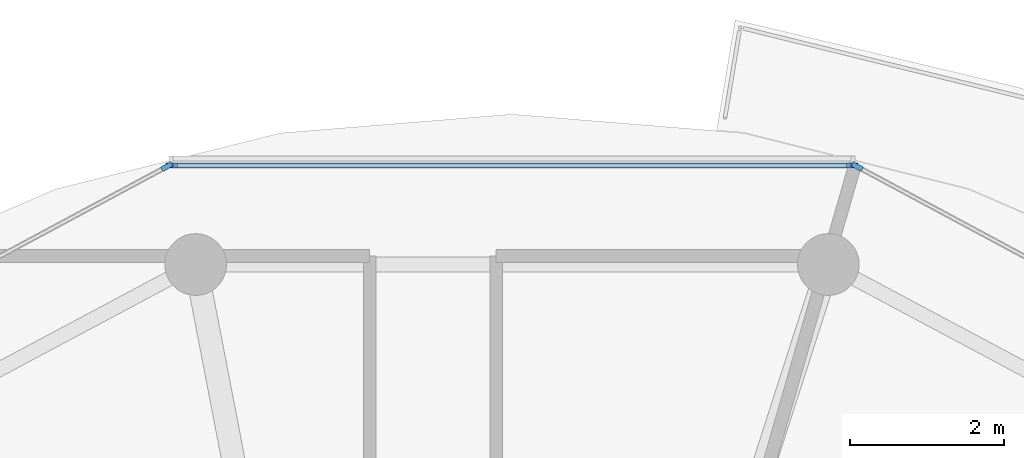
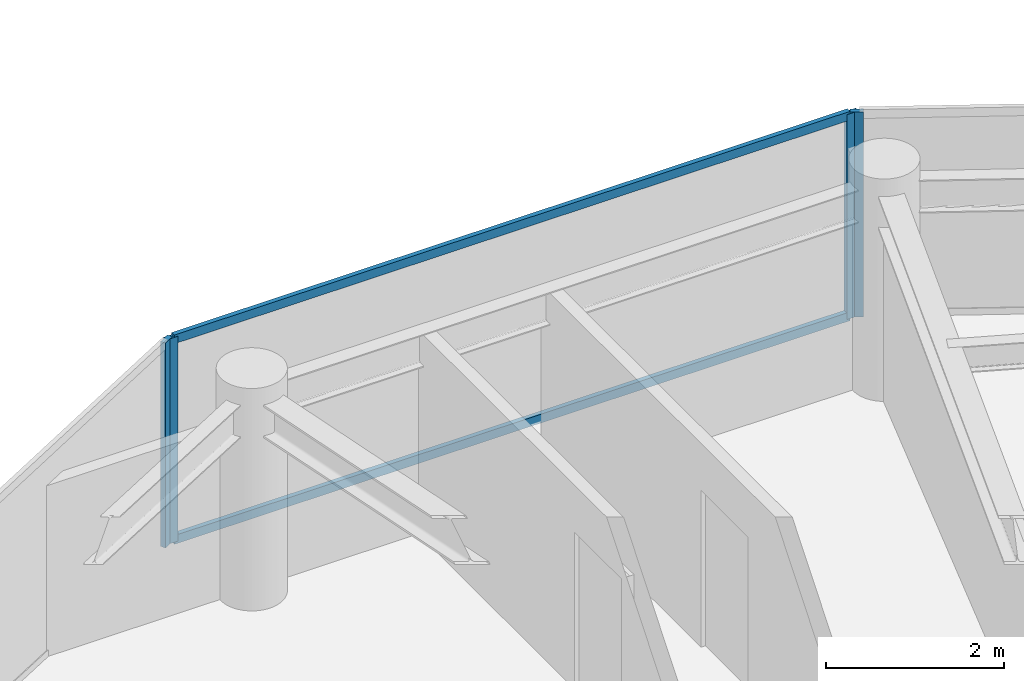
# One storey, part 9 of 22: 6 members, 3 elements without a shape of their own.
"""IFC4 building model written with IfcOpenShell, lengths in metres."""

from ifc_helpers import new_model, si_unit, direction, frame, origin, origin_2d, place, context, subcontext, project, spatial, rectangle, extrude, source, transform, mapped, material, layer, layer_set, material_profile, profile_set, type_object, type_shapes, element, aggregate, save


model = new_model("IFC4")

# Units and contexts
model_context = context("Model", 3, precision=1e-05, world=origin(), true_north=direction((0.0, 1.0)))
body_context = subcontext(model_context, "Body", "Model", "MODEL_VIEW")
ifc_project = project(units=[si_unit("LENGTHUNIT", "METRE"), si_unit("AREAUNIT", "SQUARE_METRE"), si_unit("VOLUMEUNIT", "CUBIC_METRE"), si_unit("PLANEANGLEUNIT", "RADIAN"), si_unit("MASSUNIT", "GRAM", prefix="KILO")], contexts=[model_context])

# Site, building, storey
site_placement = place(None, origin())
site = spatial("IfcSite", under=ifc_project, at=site_placement, CompositionType="ELEMENT")
building_placement = place(site_placement, origin())
building = spatial("IfcBuilding", under=site, at=building_placement, Name="Norrkilde Senior Care Towers", CompositionType="ELEMENT")
storey_placement = place(building_placement, frame((0.0, 0.0, 137.35009765625)))
storey = spatial("IfcBuildingStorey", under=building, at=storey_placement, Name="L42", CompositionType="ELEMENT", Elevation=137.35009765625)

# Curtain wall, members
ifc_material_1 = material(Name="Triple Low-E Insulated Glazing", Category="glass")
ifc_layer = layer(ifc_material_1, 0.18994140625)
ifc_layer_set = layer_set([ifc_layer], Name="Triple Low-E Insulated Glazing")
curtain_wall_type = type_object("IfcCurtainWallType", Name="CW4 Zone 3 Senior Residence Curtain Wall", PredefinedType="NOTDEFINED", material=ifc_layer_set)
curtain_wall_1_placement = place(storey_placement, origin())
curtain_wall_1 = element("IfcCurtainWall", 1, at=curtain_wall_1_placement, inside=storey, type_object=curtain_wall_type, Name="L42 Drum W Curtain Wall 02", PredefinedType="NOTDEFINED")
ifc_material_2 = material(Name="Anodised Aluminium", Category="aluminium")
ifc_material_profile_1 = material_profile(ifc_material_2, rectangle(XDim=0.06005859375, YDim=0.1201171875, at=origin_2d()), Name="ALU TRAN 60x120")
ifc_profile_set_1 = profile_set([ifc_material_profile_1], Name="Anodised Aluminium")
member_type_1 = type_object("IfcMemberType", Name="Curtain Wall Transom Typical 60x120", PredefinedType="USERDEFINED", material=ifc_profile_set_1)
shared_shape_1 = source(origin(), body_context, "Body", "SweptSolid", [
    extrude(rectangle(XDim=0.06005859375, YDim=0.1201171875, at=origin_2d()), origin(), (0.0, 0.0, 1.0), 8.762939453125),
])
type_shapes(member_type_1, [shared_shape_1])
member_1_placement = place(storey_placement, frame((-31.3564453125, 17.2109375, 0.02978515625), z_axis=(1.0, 0.0, 0.0), x_axis=(0.0, 1.0, 0.0)))
member_1 = element("IfcMember", 2, at=member_1_placement, type_object=member_type_1, Name="CW-4 transom 1.1", ObjectType="TRANSOM", PredefinedType="USERDEFINED", context=body_context, shape_type="MappedRepresentation", body=[
    mapped(shared_shape_1, transform((0.0, 0.0, 0.0), x_axis=(1.0, 0.0, 0.0), y_axis=(0.0, 1.0, 0.0), z_axis=(0.0, 0.0, 1.0), scale=1.0)),
])
member_2_placement = place(storey_placement, frame((-31.3564453125, 17.2109375, 2.77978515625), z_axis=(1.0, 0.0, 0.0), x_axis=(0.0, 1.0, 0.0)))
member_2 = element("IfcMember", 3, at=member_2_placement, type_object=member_type_1, Name="CW-4 transom 1.2", ObjectType="TRANSOM", PredefinedType="USERDEFINED", context=body_context, shape_type="MappedRepresentation", body=[
    mapped(shared_shape_1, transform((0.0, 0.0, 0.0), x_axis=(1.0, 0.0, 0.0), y_axis=(0.0, 1.0, 0.0), z_axis=(0.0, 0.0, 1.0), scale=1.0)),
])

# Curtain wall, member
curtain_wall_2_placement = place(storey_placement, origin())
curtain_wall_2 = element("IfcCurtainWall", 4, at=curtain_wall_2_placement, inside=storey, type_object=curtain_wall_type, Name="L42 Drum W Curtain Wall 01", PredefinedType="NOTDEFINED")
ifc_material_profile_2 = material_profile(ifc_material_2, rectangle(XDim=0.06494140625, YDim=0.14990234375, at=origin_2d()), Name="ALU MULL 65x150")
ifc_profile_set_2 = profile_set([ifc_material_profile_2], Name="Anodised Aluminium")
member_type_2 = type_object("IfcMemberType", Name="Curtain Wall Mullion Z3-Z4 65x150", PredefinedType="MULLION", material=ifc_profile_set_2)
shared_shape_2 = source(origin(), body_context, "Body", "SweptSolid", [
    extrude(rectangle(XDim=0.06494140625, YDim=0.14990234375, at=origin_2d()), origin(), (0.0, 0.0, 1.0), 2.809814453125),
])
type_shapes(member_type_2, [shared_shape_2])
member_3_placement = place(storey_placement, frame((-22.499755859375, 17.195556640625, 0.0), z_axis=(0.0, 0.0, 1.0), x_axis=(0.47311715104, 0.880999524059, 0.0)))
member_3 = element("IfcMember", 5, at=member_3_placement, type_object=member_type_2, Name="CW-4 mullion 1", PredefinedType="MULLION", context=body_context, shape_type="MappedRepresentation", body=[
    mapped(shared_shape_2, transform((0.0, 0.0, 0.0), x_axis=(1.0, 0.0, 0.0), y_axis=(0.0, 1.0, 0.0), z_axis=(0.0, 0.0, 1.0), scale=1.0)),
])
aggregate(curtain_wall_2, [member_3])

# Member
member_4_placement = place(storey_placement, frame((-31.388916015625, 17.2109375, 0.0), z_axis=(0.0, 0.0, 1.0), x_axis=(0.0, 1.0, 0.0)))
member_4 = element("IfcMember", 6, at=member_4_placement, type_object=member_type_2, Name="CW-4 mullion 1", PredefinedType="MULLION", context=body_context, shape_type="MappedRepresentation", body=[
    mapped(shared_shape_2, transform((0.0, 0.0, 0.0), x_axis=(1.0, 0.0, 0.0), y_axis=(0.0, 1.0, 0.0), z_axis=(0.0, 0.0, 1.0), scale=1.0)),
])

member_5_placement = place(storey_placement, frame((-22.56103515625, 17.2109375, 0.0), z_axis=(0.0, 0.0, 1.0), x_axis=(0.0, 1.0, 0.0)))
member_5 = element("IfcMember", 7, at=member_5_placement, type_object=member_type_2, Name="CW-4 mullion 2", PredefinedType="MULLION", context=body_context, shape_type="MappedRepresentation", body=[
    mapped(shared_shape_2, transform((0.0, 0.0, 0.0), x_axis=(1.0, 0.0, 0.0), y_axis=(0.0, 1.0, 0.0), z_axis=(0.0, 0.0, 1.0), scale=1.0)),
])

aggregate(curtain_wall_1, [member_4, member_5, member_1, member_2])

# Curtain wall, member
curtain_wall_3_placement = place(storey_placement, origin())
curtain_wall_3 = element("IfcCurtainWall", 8, at=curtain_wall_3_placement, inside=storey, type_object=curtain_wall_type, Name="L42 Drum W Curtain Wall 03", PredefinedType="NOTDEFINED")
member_6_placement = place(storey_placement, frame((-31.4501953125, 17.195556640625, 0.0), z_axis=(0.0, 0.0, 1.0), x_axis=(-0.47311715104, 0.880999524059, 0.0)))
member_6 = element("IfcMember", 9, at=member_6_placement, type_object=member_type_2, Name="CW-4 mullion 2", PredefinedType="MULLION", context=body_context, shape_type="MappedRepresentation", body=[
    mapped(shared_shape_2, transform((0.0, 0.0, 0.0), x_axis=(1.0, 0.0, 0.0), y_axis=(0.0, 1.0, 0.0), z_axis=(0.0, 0.0, 1.0), scale=1.0)),
])
aggregate(curtain_wall_3, [member_6])

save(model, "model.ifc")
